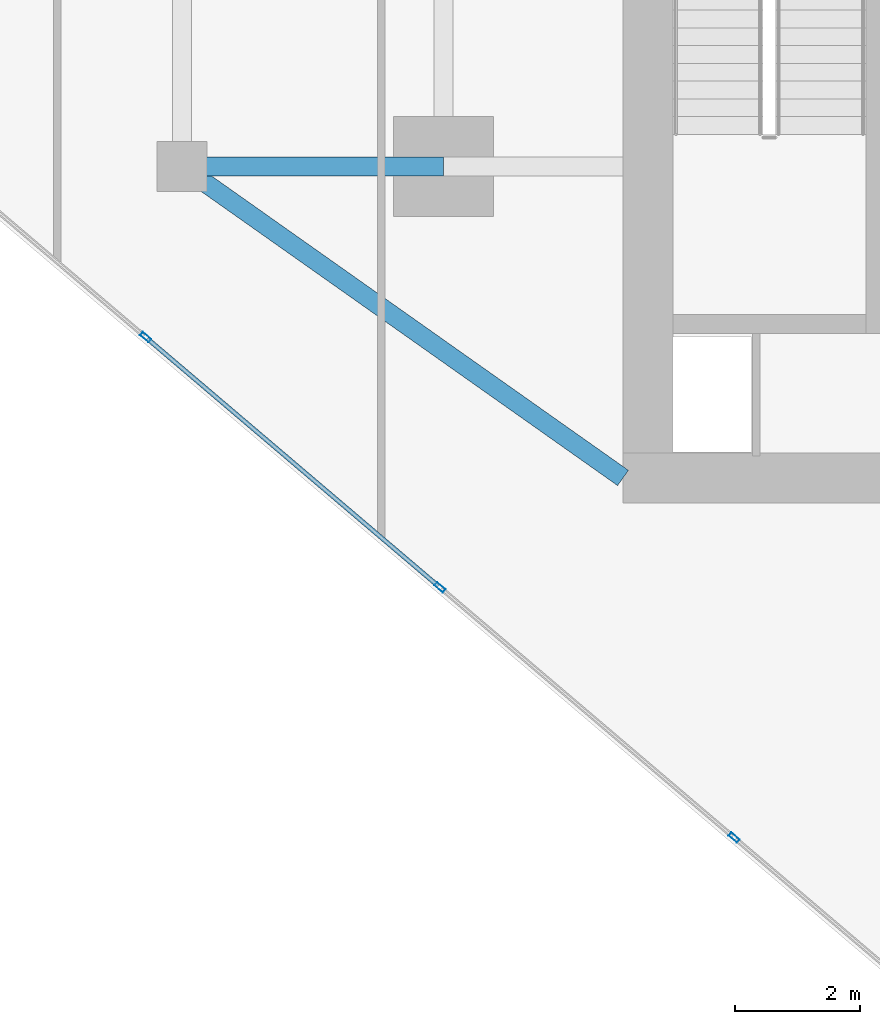
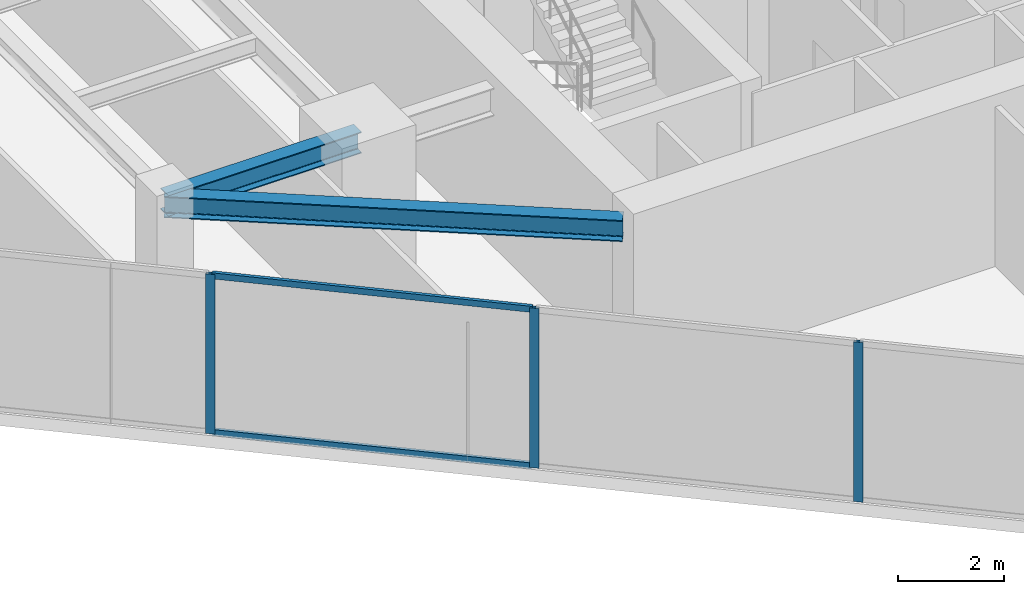
# One storey, part 2 of 26: 5 members, 2 beams, 1 element without a shape of its own.
"""IFC4 building model written with IfcOpenShell, lengths in metres."""

from ifc_helpers import new_model, si_unit, direction, frame, origin, origin_2d, place, context, subcontext, project, spatial, hollow_rectangle, i_section, extrude, source, transform, mapped, material, material_profile, profile_set, type_object, type_shapes, element, aggregate, save


model = new_model("IFC4")

# Units and contexts
model_context = context("Model", 3, precision=1e-05, world=origin(), true_north=direction((0.0, 1.0)))
body_context = subcontext(model_context, "Body", "Model", "MODEL_VIEW")
ifc_project = project(units=[si_unit("LENGTHUNIT", "METRE"), si_unit("AREAUNIT", "SQUARE_METRE"), si_unit("VOLUMEUNIT", "CUBIC_METRE"), si_unit("PLANEANGLEUNIT", "RADIAN"), si_unit("MASSUNIT", "GRAM", prefix="KILO")], contexts=[model_context])

# Site, building, storey
site_placement = place(None, origin())
site = spatial("IfcSite", under=ifc_project, at=site_placement, CompositionType="ELEMENT")
building_placement = place(site_placement, origin())
building = spatial("IfcBuilding", under=site, at=building_placement, Name="Krantzveldt Concourse Tower", CompositionType="ELEMENT")
storey_placement = place(building_placement, frame((0.0, 0.0, 207.300048828125)))
storey = spatial("IfcBuildingStorey", under=building, at=storey_placement, Name="L50", CompositionType="ELEMENT", Elevation=207.300048828125)

# Beams
ifc_material_1 = material(Name="Steel S355JR", Category="steel")
ifc_material_profile_1 = material_profile(ifc_material_1, i_section(OverallWidth=0.300048828125, OverallDepth=0.489990234375, WebThickness=0.011962890625, FlangeThickness=0.02294921875, FilletRadius=0.027099609375, at=origin_2d()), Name="Steel S355JR", Category="steel")
ifc_profile_set_1 = profile_set([ifc_material_profile_1], Name="Steel S355JR - HEA 500")
beam_type = type_object("IfcBeamType", Name="BM-B-HEA500", PredefinedType="BEAM", material=ifc_profile_set_1)
shared_shape_1 = source(origin(), body_context, "Body", "SweptSolid", [
    extrude(i_section(OverallWidth=0.300048828125, OverallDepth=0.489990234375, WebThickness=0.011962890625, FlangeThickness=0.02294921875, FilletRadius=0.027099609375, at=origin_2d()), origin(), (0.0, 0.0, 1.0), 4.199951171875),
])
beam_1_placement = place(storey_placement, frame((21.0, 15.89990234375, 3.425048828125), z_axis=(1.0, 0.0, 0.0), x_axis=(0.0, 1.0, 0.0)))
element("IfcBeam", 1, at=beam_1_placement, inside=storey, type_object=beam_type, Name="L50 Tower Girder BR-RL1", PredefinedType="BEAM", context=body_context, shape_type="MappedRepresentation", body=[
    mapped(shared_shape_1, transform((0.0, 0.0, 0.0), x_axis=(1.0, 0.0, 0.0), y_axis=(0.0, 1.0, 0.0), z_axis=(0.0, 0.0, 1.0), scale=1.0)),
])
shared_shape_2 = source(origin(), body_context, "Body", "SweptSolid", [
    extrude(i_section(OverallWidth=0.300048828125, OverallDepth=0.489990234375, WebThickness=0.011962890625, FlangeThickness=0.02294921875, FilletRadius=0.027099609375, at=origin_2d()), origin(), (0.0, 0.0, 1.0), 8.667724609375),
])
type_shapes(beam_type, [shared_shape_1, shared_shape_2])
beam_2_placement = place(storey_placement, frame((21.0, 15.89990234375, 3.425048828125), z_axis=(0.81684294656, -0.576860122261, 0.0), x_axis=(0.576860122261, 0.81684294656, 0.0)))
element("IfcBeam", 2, at=beam_2_placement, inside=storey, type_object=beam_type, Name="L50 Tower Girder BR-CSW", PredefinedType="BEAM", context=body_context, shape_type="MappedRepresentation", body=[
    mapped(shared_shape_2, transform((0.0, 0.0, 0.0), x_axis=(1.0, 0.0, 0.0), y_axis=(0.0, 1.0, 0.0), z_axis=(0.0, 0.0, 1.0), scale=1.0)),
])

# Curtain wall, members
ifc_material_2 = material(Name="Anodised aluminium 6063-T6", Category="aluminium")
curtain_wall_type = type_object("IfcCurtainWallType", Name="CW3", PredefinedType="USERDEFINED", material=ifc_material_2)
curtain_wall_placement = place(storey_placement, origin())
curtain_wall = element("IfcCurtainWall", 3, at=curtain_wall_placement, inside=storey, type_object=curtain_wall_type, Name="CW-L50-F04", ObjectType="UNITISED CURTAIN WALL", PredefinedType="USERDEFINED")
ifc_material_profile_2 = material_profile(ifc_material_2, hollow_rectangle(XDim=0.070068359375, YDim=0.179931640625, WallThickness=0.0048828125, at=origin_2d()), Name="Anodised aluminium 6063-T6", Category="aluminium")
ifc_profile_set_2 = profile_set([ifc_material_profile_2], Name="Anodised aluminium 6063-T6 - ALU-MULL 180x70x5")
member_type_1 = type_object("IfcMemberType", Name="CW-MUL-180", PredefinedType="MULLION", material=ifc_profile_set_2)
shared_shape_3 = source(origin(), body_context, "Body", "SweptSolid", [
    extrude(hollow_rectangle(XDim=0.070068359375, YDim=0.179931640625, WallThickness=0.0048828125, at=origin_2d()), origin(), (0.0, 0.0, 1.0), 3.669921875),
])
type_shapes(member_type_1, [shared_shape_3])
member_1_placement = place(storey_placement, frame((20.4169921875, 13.159423828125, 0.0), z_axis=(0.0, 0.0, 1.0), x_axis=(0.647787694805, 0.761820912327, 0.0)))
member_1 = element("IfcMember", 4, at=member_1_placement, type_object=member_type_1, Name="CW-Z34 mullion 3", PredefinedType="MULLION", context=body_context, shape_type="MappedRepresentation", body=[
    mapped(shared_shape_3, transform((0.0, 0.0, 0.0), x_axis=(1.0, 0.0, 0.0), y_axis=(0.0, 1.0, 0.0), z_axis=(0.0, 0.0, 1.0), scale=1.0)),
])
member_2_placement = place(storey_placement, frame((25.140380859375, 9.14306640625, 0.0), z_axis=(0.0, 0.0, 1.0), x_axis=(0.647787694805, 0.761820912327, 0.0)))
member_2 = element("IfcMember", 5, at=member_2_placement, type_object=member_type_1, Name="CW-Z34 mullion 4", PredefinedType="MULLION", context=body_context, shape_type="MappedRepresentation", body=[
    mapped(shared_shape_3, transform((0.0, 0.0, 0.0), x_axis=(1.0, 0.0, 0.0), y_axis=(0.0, 1.0, 0.0), z_axis=(0.0, 0.0, 1.0), scale=1.0)),
])
member_3_placement = place(storey_placement, frame((29.863525390625, 5.126708984375, 0.0), z_axis=(0.0, 0.0, 1.0), x_axis=(0.647787694805, 0.761820912327, 0.0)))
member_3 = element("IfcMember", 6, at=member_3_placement, type_object=member_type_1, Name="CW-Z34 mullion 5", PredefinedType="MULLION", context=body_context, shape_type="MappedRepresentation", body=[
    mapped(shared_shape_3, transform((0.0, 0.0, 0.0), x_axis=(1.0, 0.0, 0.0), y_axis=(0.0, 1.0, 0.0), z_axis=(0.0, 0.0, 1.0), scale=1.0)),
])
ifc_material_profile_3 = material_profile(ifc_material_2, hollow_rectangle(XDim=0.070068359375, YDim=0.139892578125, WallThickness=0.0048828125, at=origin_2d()), Name="Anodised aluminium 6063-T6", Category="aluminium")
ifc_profile_set_3 = profile_set([ifc_material_profile_3], Name="Anodised aluminium 6063-T6 - ALU-TRAN 140x70x5")
member_type_2 = type_object("IfcMemberType", Name="CW-TRN-150", PredefinedType="USERDEFINED", material=ifc_profile_set_3)
shared_shape_4 = source(origin(), body_context, "Body", "SweptSolid", [
    extrude(hollow_rectangle(XDim=0.070068359375, YDim=0.139892578125, WallThickness=0.0048828125, at=origin_2d()), origin(), (0.0, 0.0, 1.0), 6.1298828125),
])
type_shapes(member_type_2, [shared_shape_4])
member_4_placement = place(storey_placement, frame((20.443603515625, 13.13671875, 0.034912109375), z_axis=(0.761817452252, -0.647791763952, 0.0), x_axis=(0.647791763952, 0.761817452252, 0.0)))
member_4 = element("IfcMember", 7, at=member_4_placement, type_object=member_type_2, Name="CW-Z34 transom 3.1", ObjectType="TRANSOM", PredefinedType="USERDEFINED", context=body_context, shape_type="MappedRepresentation", body=[
    mapped(shared_shape_4, transform((0.0, 0.0, 0.0), x_axis=(1.0, 0.0, 0.0), y_axis=(0.0, 1.0, 0.0), z_axis=(0.0, 0.0, 1.0), scale=1.0)),
])
member_5_placement = place(storey_placement, frame((20.443603515625, 13.13671875, 3.635009765625), z_axis=(0.761817452252, -0.647791763952, 0.0), x_axis=(0.647791763952, 0.761817452252, 0.0)))
member_5 = element("IfcMember", 8, at=member_5_placement, type_object=member_type_2, Name="CW-Z34 transom 3.2", ObjectType="TRANSOM", PredefinedType="USERDEFINED", context=body_context, shape_type="MappedRepresentation", body=[
    mapped(shared_shape_4, transform((0.0, 0.0, 0.0), x_axis=(1.0, 0.0, 0.0), y_axis=(0.0, 1.0, 0.0), z_axis=(0.0, 0.0, 1.0), scale=1.0)),
])
aggregate(curtain_wall, [member_1, member_2, member_3, member_4, member_5])

save(model, "model.ifc")
